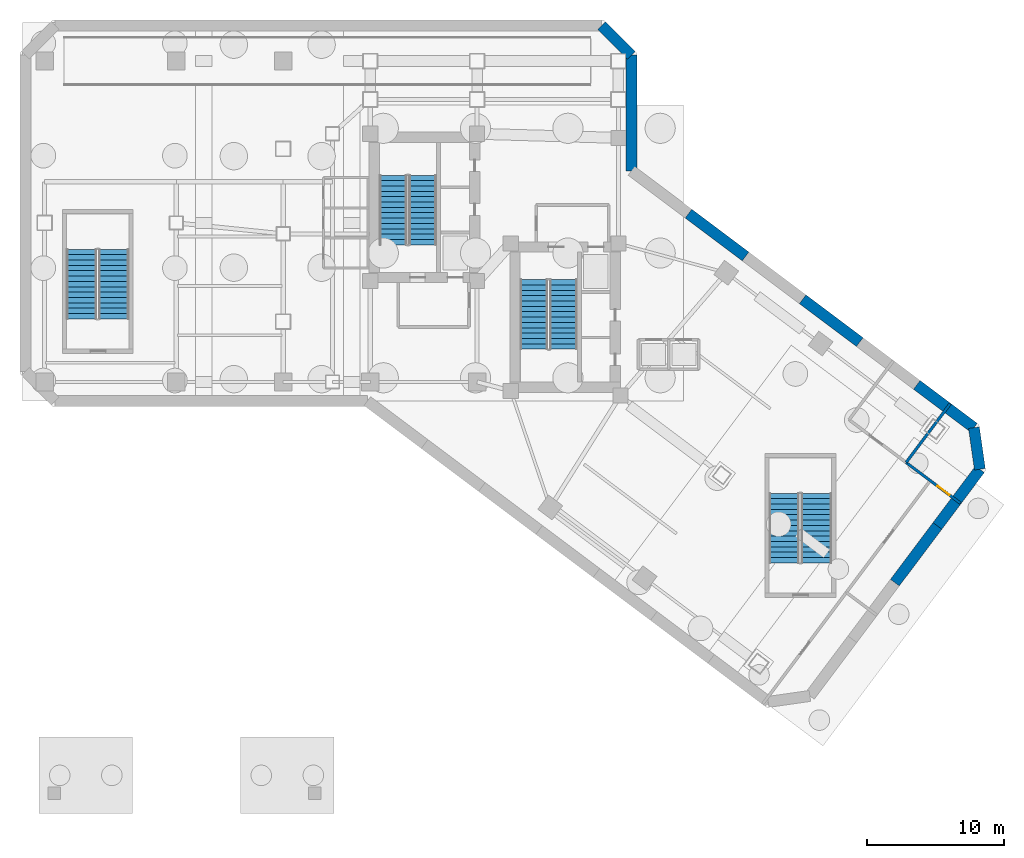
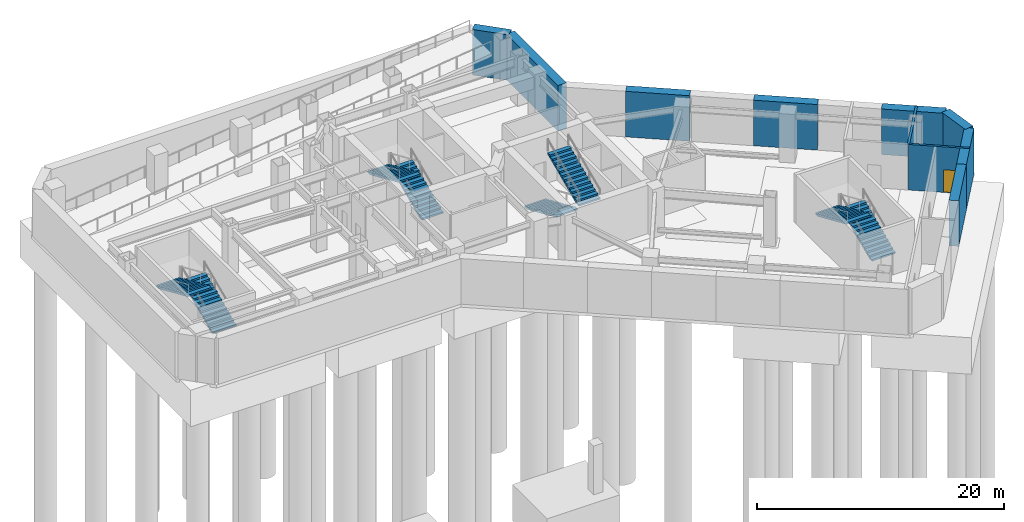
# One storey, part 5 of 9: 10 walls, 8 stair flights, 1 door, 1 opening, 4 elements without a shape of their own.
"""IFC4 building model written with IfcOpenShell, lengths in metres."""

from ifc_helpers import new_model, si_unit, direction, frame, frame_2d, origin, place, context, subcontext, project, spatial, polyline, rectangle, outline, extrude, material, layer, layer_set, type_object, element, fill, aggregate, save


model = new_model("IFC4")

# Units and contexts
model_context = context("Model", 3, precision=1e-05, world=origin(), true_north=direction((0.0, 1.0)))
body_context = subcontext(model_context, "Body", "Model", "MODEL_VIEW")
ifc_project = project(units=[si_unit("LENGTHUNIT", "METRE"), si_unit("AREAUNIT", "SQUARE_METRE"), si_unit("VOLUMEUNIT", "CUBIC_METRE"), si_unit("PLANEANGLEUNIT", "RADIAN"), si_unit("MASSUNIT", "GRAM", prefix="KILO")], contexts=[model_context])

# Site, building, storey
site_placement = place(None, origin())
site = spatial("IfcSite", under=ifc_project, at=site_placement, CompositionType="ELEMENT")
building_placement = place(site_placement, origin())
building = spatial("IfcBuilding", under=site, at=building_placement, Name="Hatsunagi Terrace Concourse", CompositionType="ELEMENT")
storey_placement = place(building_placement, frame((0.0, 0.0, -9.60009765625)))
storey = spatial("IfcBuildingStorey", under=building, at=storey_placement, Name="B02", CompositionType="ELEMENT", Elevation=-9.60009765625)

# Walls
ifc_material_1 = material(Name="Concrete Fc48", Category="concrete")
ifc_layer_1 = layer(ifc_material_1, 0.800048828125)
ifc_layer_set_1 = layer_set([ifc_layer_1], Name="BasementRetainingWall_Fc48_800")
wall_type_1 = type_object("IfcWallType", Name="BasementRetainingWall_Fc48_800", PredefinedType="SHEAR", material=ifc_layer_set_1)
wall_1_placement = place(storey_placement, frame((48.763916015625, 37.47705078125, 0.0), z_axis=(0.0, 0.0, 1.0), x_axis=(0.799977491278, -0.600030010457, 0.0)))
element("IfcWall", 1, at=wall_1_placement, inside=storey, type_object=wall_type_1, Name="Basement Retaining Wall B02-01-2", PredefinedType="SHEAR", context=body_context, shape_type="SweptSolid", body=[
    extrude(rectangle(XDim=5.20654296875, YDim=0.800048828125, at=frame_2d((2.603271484375, 0.0))), origin(), (0.0, 0.0, 1.0), 4.5),
])
wall_2_placement = place(storey_placement, frame((57.093994140625, 31.22998046875, 0.0), z_axis=(0.0, 0.0, 1.0), x_axis=(0.799909944843, -0.600120054773, 0.0)))
element("IfcWall", 2, at=wall_2_placement, inside=storey, type_object=wall_type_1, Name="Basement Retaining Wall B02-01-4", PredefinedType="SHEAR", context=body_context, shape_type="SweptSolid", body=[
    extrude(rectangle(XDim=5.20556640625, YDim=0.800048828125, at=frame_2d((2.602783203125, 0.0))), origin(), (0.0, 0.0, 1.0), 4.5),
])
wall_3_placement = place(storey_placement, frame((65.422119140625, 24.98291015625, 0.0), z_axis=(0.0, 0.0, 1.0), x_axis=(0.79996060752, -0.600052519715, 0.0)))
element("IfcWall", 3, at=wall_3_placement, inside=storey, type_object=wall_type_1, Name="Basement Retaining Wall B02-01-6", PredefinedType="SHEAR", context=body_context, shape_type="SweptSolid", body=[
    extrude(rectangle(XDim=5.206298828125, YDim=0.800048828125, at=frame_2d((2.60302734375, 0.0))), origin(), (0.0, 0.0, 1.0), 4.5),
])
wall_4_placement = place(storey_placement, frame((69.5869140625, 21.85888671875, 0.0), z_axis=(0.0, 0.0, 1.0), x_axis=(0.141722649809, -0.989906404935, 0.0)))
element("IfcWall", 4, at=wall_4_placement, inside=storey, type_object=wall_type_1, Name="Basement Retaining Wall B02-02", PredefinedType="SHEAR", context=body_context, shape_type="SweptSolid", body=[
    extrude(rectangle(XDim=3.06298828125, YDim=0.800048828125, at=frame_2d((1.531494140625, 0.0))), origin(), (0.0, 0.0, 1.0), 4.5),
])
wall_5_placement = place(storey_placement, frame((70.02099609375, 18.826904296875, 0.0), z_axis=(0.0, 0.0, 1.0), x_axis=(-0.600060486348, -0.799954631666, 0.0)))
element("IfcWall", 5, at=wall_5_placement, inside=storey, type_object=wall_type_1, Name="Basement Retaining Wall B02-03-1", PredefinedType="SHEAR", context=body_context, shape_type="SweptSolid", body=[
    extrude(rectangle(XDim=5.166259765625, YDim=0.800048828125, at=frame_2d((2.5830078125, 0.0))), origin(), (0.0, 0.0, 1.0), 4.5),
])
wall_6_placement = place(storey_placement, frame((66.9208984375, 14.694091796875, 0.0), z_axis=(0.0, 0.0, 1.0), x_axis=(-0.600037794011, -0.799971653097, 0.0)))
element("IfcWall", 6, at=wall_6_placement, inside=storey, type_object=wall_type_1, Name="Basement Retaining Wall B02-03-2", PredefinedType="SHEAR", context=body_context, shape_type="SweptSolid", body=[
    extrude(rectangle(XDim=5.167724609375, YDim=0.800048828125, at=frame_2d((2.583984375, 0.0))), origin(), (0.0, 0.0, 1.0), 4.5),
])
wall_7_placement = place(storey_placement, frame((42.43408203125, 51.199951171875, 0.0), z_axis=(0.0, 0.0, 1.0), x_axis=(0.707106781187, -0.707106781187, 0.0)))
element("IfcWall", 7, at=wall_7_placement, inside=storey, type_object=wall_type_1, Name="Basement Retaining Wall B02-11", PredefinedType="SHEAR", context=body_context, shape_type="SweptSolid", body=[
    extrude(rectangle(XDim=3.063232421875, YDim=0.800048828125, at=frame_2d((1.53173828125, 0.0))), origin(), (0.0, 0.0, 1.0), 4.5),
])
wall_8_placement = place(storey_placement, frame((44.60009765625, 49.033935546875, 0.0), z_axis=(0.0, 0.0, 1.0), x_axis=(0.0, -1.0, 0.0)))
element("IfcWall", 8, at=wall_8_placement, inside=storey, type_object=wall_type_1, Name="Basement Retaining Wall B02-12", PredefinedType="SHEAR", context=body_context, shape_type="SweptSolid", body=[
    extrude(rectangle(XDim=8.433837890625, YDim=0.800048828125, at=frame_2d((4.216796875, 0.0))), origin(), (0.0, 0.0, 1.0), 4.5),
])
ifc_material_2 = material(Name="Acoustic mineral board", Category="gypsum")
ifc_layer_2 = layer(ifc_material_2, 0.199951171875)
ifc_layer_set_2 = layer_set([ifc_layer_2], Name="ShaftWall_EI120_200")
wall_type_2 = type_object("IfcWallType", Name="ShaftWall_EI120_200", PredefinedType="STANDARD", material=ifc_layer_set_2)
wall_9_placement = place(storey_placement, frame((64.639892578125, 19.320068359375, 0.0), z_axis=(0.0, 0.0, 1.0), x_axis=(0.600021863474, 0.799983601928, 0.0)))
element("IfcWall", 9, at=wall_9_placement, inside=storey, type_object=wall_type_2, Name="Interior Partition IW-B02-026", PredefinedType="STANDARD", context=body_context, shape_type="SweptSolid", body=[
    extrude(rectangle(XDim=5.35986328125, YDim=0.199951171875, at=frame_2d((2.679931640625, 0.0))), origin(), (0.0, 0.0, 1.0), 4.5),
])

# Wall, opening, door
wall_10_placement = place(storey_placement, frame((64.639892578125, 19.320068359375, 0.0), z_axis=(0.0, 0.0, 1.0), x_axis=(0.799994093403, -0.600007875382, 0.0)))
wall_10 = element("IfcWall", 10, at=wall_10_placement, inside=storey, type_object=wall_type_2, Name="Interior Partition IW-B02-027", PredefinedType="STANDARD", context=body_context, shape_type="SweptSolid", body=[
    extrude(rectangle(XDim=4.9599609375, YDim=0.199951171875, at=frame_2d((2.47998046875, 0.0))), origin(), (0.0, 0.0, 1.0), 4.5),
])
opening_placement = place(wall_10_placement, frame((2.860107421875, 0.0, 0.0)))
opening = element("IfcOpeningElement", 11, at=opening_placement, cuts=wall_10, Name="Opening DR-110F", PredefinedType="OPENING", context=body_context, shape_type="SweptSolid", body=[
    extrude(rectangle(XDim=1.10009765625, YDim=2.239990234375, at=frame_2d((0.550048828125, 1.1201171875))), frame((0.0, 0.10986328125, 0.0), z_axis=(0.0, -1.0, 0.0), x_axis=(1.0, 0.0, 0.0)), (0.0, 0.0, 1.0), 0.219970703125),
])
ifc_material_3 = material(Name="Painted steel", Category="steel")
door_type = type_object("IfcDoorType", Name="FireDoor_EI60_1100", OperationType="NOTDEFINED", PredefinedType="DOOR", material=ifc_material_3)
door_placement = place(opening_placement, origin())
door = element("IfcDoor", 12, at=door_placement, inside=storey, type_object=door_type, Name="Transformer Substation B02-MP2 Door", OperationType="SINGLE_SWING_RIGHT", OverallHeight=2.239990234375, OverallWidth=1.10009765625, PredefinedType="DOOR", context=body_context, shape_type="SweptSolid", body=[
    extrude(rectangle(XDim=1.10009765625, YDim=2.239990234375, at=frame_2d((0.550048828125, 1.1201171875))), frame((0.0, 0.02490234375, 0.0), z_axis=(0.0, -1.0, 0.0), x_axis=(1.0, 0.0, 0.0)), (0.0, 0.0, 1.0), 0.050048828125),
])
fill(opening, door)

# Stair, stair flights
ifc_material_4 = material(Name="Concrete Fc42", Category="concrete")
stair_type_1 = type_object("IfcStairType", Name="DoglegExitStair_Podium2200_28R_171", PredefinedType="HALF_TURN_STAIR", material=ifc_material_4)
stair_1_placement = place(storey_placement, origin())
stair_1 = element("IfcStair", 13, at=stair_1_placement, inside=storey, type_object=stair_type_1, Name="B02 West Podium Convention Exit Stair ST-P1", PredefinedType="HALF_TURN_STAIR")
ifc_material_5 = material(Name="Concrete Fc42", Category="concrete")
stair_flight_type_1 = type_object("IfcStairFlightType", Name="DoglegStairFlight_Podium2200_28R_171", PredefinedType="STRAIGHT", material=ifc_material_5)
stair_flight_1_placement = place(storey_placement, frame((6.85009765625, 29.800048828125, 0.0), z_axis=(0.0, 0.0, 1.0), x_axis=(0.0, 1.0, 0.0)))
stair_flight_1 = element("IfcStairFlight", 14, at=stair_flight_1_placement, type_object=stair_flight_type_1, Name="ST-P1 flight 1", NumberOfRisers=14, NumberOfTreads=13, PredefinedType="STRAIGHT", RiserHeight=0.171428571, TreadLength=0.39, context=body_context, shape_type="SweptSolid", body=[
    extrude(outline(polyline([(0.0, 0.0), (0.0, 0.17138671875), (0.389892578125, 0.17138671875), (0.389892578125, 0.3427734375), (0.780029296875, 0.3427734375), (0.780029296875, 0.514404296875), (1.169921875, 0.514404296875), (1.169921875, 0.685791015625), (1.56005859375, 0.685791015625), (1.56005859375, 0.857177734375), (1.949951171875, 0.857177734375), (1.949951171875, 1.028564453125), (2.340087890625, 1.028564453125), (2.340087890625, 1.199951171875), (2.72998046875, 1.199951171875), (2.72998046875, 1.371337890625), (3.1201171875, 1.371337890625), (3.1201171875, 1.54296875), (3.510009765625, 1.54296875), (3.510009765625, 1.71435546875), (3.89990234375, 1.71435546875), (3.89990234375, 1.8857421875), (4.2900390625, 1.8857421875), (4.2900390625, 2.05712890625), (4.679931640625, 2.05712890625), (4.679931640625, 2.228515625), (5.070068359375, 2.228515625), (5.070068359375, 2.39990234375), (5.070068359375, 2.06494140625), (0.37255859375, 0.0), (0.0, 0.0)])), frame((0.0, 1.10009765625, 0.0), z_axis=(0.0, -1.0, 0.0), x_axis=(1.0, 0.0, 0.0)), (0.0, 0.0, 1.0), 2.199951171875),
])
stair_flight_2_placement = place(storey_placement, frame((4.5, 34.8701171875, 2.400146484375), z_axis=(0.0, 0.0, 1.0), x_axis=(0.0, -1.0, 0.0)))
stair_flight_2 = element("IfcStairFlight", 15, at=stair_flight_2_placement, type_object=stair_flight_type_1, Name="ST-P1 flight 2", NumberOfRisers=14, NumberOfTreads=13, PredefinedType="STRAIGHT", RiserHeight=0.171428571, TreadLength=0.39, context=body_context, shape_type="SweptSolid", body=[
    extrude(outline(polyline([(0.0, 0.0), (0.0, 0.17138671875), (0.389892578125, 0.17138671875), (0.389892578125, 0.3427734375), (0.780029296875, 0.3427734375), (0.780029296875, 0.514404296875), (1.169921875, 0.514404296875), (1.169921875, 0.685791015625), (1.56005859375, 0.685791015625), (1.56005859375, 0.857177734375), (1.949951171875, 0.857177734375), (1.949951171875, 1.028564453125), (2.340087890625, 1.028564453125), (2.340087890625, 1.199951171875), (2.72998046875, 1.199951171875), (2.72998046875, 1.371337890625), (3.1201171875, 1.371337890625), (3.1201171875, 1.54296875), (3.510009765625, 1.54296875), (3.510009765625, 1.71435546875), (3.89990234375, 1.71435546875), (3.89990234375, 1.8857421875), (4.2900390625, 1.8857421875), (4.2900390625, 2.05712890625), (4.679931640625, 2.05712890625), (4.679931640625, 2.228515625), (5.070068359375, 2.228515625), (5.070068359375, 2.39990234375), (5.070068359375, 2.06494140625), (0.37255859375, 0.0), (0.0, 0.0)])), frame((0.0, 1.10009765625, 0.0), z_axis=(0.0, -1.0, 0.0), x_axis=(1.0, 0.0, 0.0)), (0.0, 0.0, 1.0), 2.199951171875),
])
aggregate(stair_1, [stair_flight_1, stair_flight_2])

stair_2_placement = place(storey_placement, origin())
stair_2 = element("IfcStair", 16, at=stair_2_placement, inside=storey, type_object=stair_type_1, Name="B02 Southeast Podium Ballroom Exit Stair ST-P2", PredefinedType="HALF_TURN_STAIR")
stair_flight_3_placement = place(storey_placement, frame((58.10009765625, 12.0, 0.0), z_axis=(0.0, 0.0, 1.0), x_axis=(0.0, 1.0, 0.0)))
stair_flight_3 = element("IfcStairFlight", 17, at=stair_flight_3_placement, type_object=stair_flight_type_1, Name="ST-P2 flight 1", NumberOfRisers=14, NumberOfTreads=13, PredefinedType="STRAIGHT", RiserHeight=0.171428571, TreadLength=0.39, context=body_context, shape_type="SweptSolid", body=[
    extrude(outline(polyline([(0.0, 0.0), (0.0, 0.17138671875), (0.389892578125, 0.17138671875), (0.389892578125, 0.3427734375), (0.780029296875, 0.3427734375), (0.780029296875, 0.514404296875), (1.169921875, 0.514404296875), (1.169921875, 0.685791015625), (1.56005859375, 0.685791015625), (1.56005859375, 0.857177734375), (1.949951171875, 0.857177734375), (1.949951171875, 1.028564453125), (2.340087890625, 1.028564453125), (2.340087890625, 1.199951171875), (2.72998046875, 1.199951171875), (2.72998046875, 1.371337890625), (3.1201171875, 1.371337890625), (3.1201171875, 1.54296875), (3.510009765625, 1.54296875), (3.510009765625, 1.71435546875), (3.89990234375, 1.71435546875), (3.89990234375, 1.8857421875), (4.2900390625, 1.8857421875), (4.2900390625, 2.05712890625), (4.679931640625, 2.05712890625), (4.679931640625, 2.228515625), (5.070068359375, 2.228515625), (5.070068359375, 2.39990234375), (5.070068359375, 2.06494140625), (0.37255859375, 0.0), (0.0, 0.0)])), frame((0.0, 1.10009765625, 0.0), z_axis=(0.0, -1.0, 0.0), x_axis=(1.0, 0.0, 0.0)), (0.0, 0.0, 1.0), 2.199951171875),
])
stair_flight_4_placement = place(storey_placement, frame((55.75, 17.070068359375, 2.400146484375), z_axis=(0.0, 0.0, 1.0), x_axis=(0.0, -1.0, 0.0)))
stair_flight_4 = element("IfcStairFlight", 18, at=stair_flight_4_placement, type_object=stair_flight_type_1, Name="ST-P2 flight 2", NumberOfRisers=14, NumberOfTreads=13, PredefinedType="STRAIGHT", RiserHeight=0.171428571, TreadLength=0.39, context=body_context, shape_type="SweptSolid", body=[
    extrude(outline(polyline([(0.0, 0.0), (0.0, 0.17138671875), (0.389892578125, 0.17138671875), (0.389892578125, 0.3427734375), (0.780029296875, 0.3427734375), (0.780029296875, 0.514404296875), (1.169921875, 0.514404296875), (1.169921875, 0.685791015625), (1.56005859375, 0.685791015625), (1.56005859375, 0.857177734375), (1.949951171875, 0.857177734375), (1.949951171875, 1.028564453125), (2.340087890625, 1.028564453125), (2.340087890625, 1.199951171875), (2.72998046875, 1.199951171875), (2.72998046875, 1.371337890625), (3.1201171875, 1.371337890625), (3.1201171875, 1.54296875), (3.510009765625, 1.54296875), (3.510009765625, 1.71435546875), (3.89990234375, 1.71435546875), (3.89990234375, 1.8857421875), (4.2900390625, 1.8857421875), (4.2900390625, 2.05712890625), (4.679931640625, 2.05712890625), (4.679931640625, 2.228515625), (5.070068359375, 2.228515625), (5.070068359375, 2.39990234375), (5.070068359375, 2.06494140625), (0.37255859375, 0.0), (0.0, 0.0)])), frame((0.0, 1.10009765625, 0.0), z_axis=(0.0, -1.0, 0.0), x_axis=(1.0, 0.0, 0.0)), (0.0, 0.0, 1.0), 2.199951171875),
])
aggregate(stair_2, [stair_flight_3, stair_flight_4])

ifc_material_6 = material(Name="Concrete Fc42", Category="concrete")
stair_type_2 = type_object("IfcStairType", Name="DoglegExitStair_Tower2000_28R_171", PredefinedType="HALF_TURN_STAIR", material=ifc_material_6)
stair_3_placement = place(storey_placement, origin())
stair_3 = element("IfcStair", 19, at=stair_3_placement, inside=storey, type_object=stair_type_2, Name="B02 Core A Protected Exit Stair ST-A", PredefinedType="HALF_TURN_STAIR")
ifc_material_7 = material(Name="Concrete Fc42", Category="concrete")
stair_flight_type_2 = type_object("IfcStairFlightType", Name="DoglegStairFlight_Tower2000_28R_171", PredefinedType="STRAIGHT", material=ifc_material_7)
stair_flight_5_placement = place(storey_placement, frame((29.3798828125, 35.199951171875, 0.0), z_axis=(0.0, 0.0, 1.0), x_axis=(0.0, 1.0, 0.0)))
stair_flight_5 = element("IfcStairFlight", 20, at=stair_flight_5_placement, type_object=stair_flight_type_2, Name="ST-A flight 1", NumberOfRisers=14, NumberOfTreads=13, PredefinedType="STRAIGHT", RiserHeight=0.171428571, TreadLength=0.39, context=body_context, shape_type="SweptSolid", body=[
    extrude(outline(polyline([(0.0, 0.0), (0.0, 0.17138671875), (0.389892578125, 0.17138671875), (0.389892578125, 0.3427734375), (0.780029296875, 0.3427734375), (0.780029296875, 0.514404296875), (1.169921875, 0.514404296875), (1.169921875, 0.685791015625), (1.56005859375, 0.685791015625), (1.56005859375, 0.857177734375), (1.949951171875, 0.857177734375), (1.949951171875, 1.028564453125), (2.340087890625, 1.028564453125), (2.340087890625, 1.199951171875), (2.72998046875, 1.199951171875), (2.72998046875, 1.371337890625), (3.1201171875, 1.371337890625), (3.1201171875, 1.54296875), (3.510009765625, 1.54296875), (3.510009765625, 1.71435546875), (3.89990234375, 1.71435546875), (3.89990234375, 1.8857421875), (4.2900390625, 1.8857421875), (4.2900390625, 2.05712890625), (4.679931640625, 2.05712890625), (4.679931640625, 2.228515625), (5.070068359375, 2.228515625), (5.070068359375, 2.39990234375), (5.070068359375, 2.06494140625), (0.37255859375, 0.0), (0.0, 0.0)])), frame((0.0, 1.0, 0.0), z_axis=(0.0, -1.0, 0.0), x_axis=(1.0, 0.0, 0.0)), (0.0, 0.0, 1.0), 2.0),
])
stair_flight_6_placement = place(storey_placement, frame((27.22998046875, 40.27001953125, 2.400146484375), z_axis=(0.0, 0.0, 1.0), x_axis=(0.0, -1.0, 0.0)))
stair_flight_6 = element("IfcStairFlight", 21, at=stair_flight_6_placement, type_object=stair_flight_type_2, Name="ST-A flight 2", NumberOfRisers=14, NumberOfTreads=13, PredefinedType="STRAIGHT", RiserHeight=0.171428571, TreadLength=0.39, context=body_context, shape_type="SweptSolid", body=[
    extrude(outline(polyline([(0.0, 0.0), (0.0, 0.17138671875), (0.389892578125, 0.17138671875), (0.389892578125, 0.3427734375), (0.780029296875, 0.3427734375), (0.780029296875, 0.514404296875), (1.169921875, 0.514404296875), (1.169921875, 0.685791015625), (1.56005859375, 0.685791015625), (1.56005859375, 0.857177734375), (1.949951171875, 0.857177734375), (1.949951171875, 1.028564453125), (2.340087890625, 1.028564453125), (2.340087890625, 1.199951171875), (2.72998046875, 1.199951171875), (2.72998046875, 1.371337890625), (3.1201171875, 1.371337890625), (3.1201171875, 1.54296875), (3.510009765625, 1.54296875), (3.510009765625, 1.71435546875), (3.89990234375, 1.71435546875), (3.89990234375, 1.8857421875), (4.2900390625, 1.8857421875), (4.2900390625, 2.05712890625), (4.679931640625, 2.05712890625), (4.679931640625, 2.228515625), (5.070068359375, 2.228515625), (5.070068359375, 2.39990234375), (5.070068359375, 2.06494140625), (0.37255859375, 0.0), (0.0, 0.0)])), frame((0.0, 1.0, 0.0), z_axis=(0.0, -1.0, 0.0), x_axis=(1.0, 0.0, 0.0)), (0.0, 0.0, 1.0), 2.0),
])
aggregate(stair_3, [stair_flight_5, stair_flight_6])

stair_4_placement = place(storey_placement, origin())
stair_4 = element("IfcStair", 22, at=stair_4_placement, inside=storey, type_object=stair_type_2, Name="B02 Core B Protected Exit Stair ST-B", PredefinedType="HALF_TURN_STAIR")
stair_flight_7_placement = place(storey_placement, frame((37.5, 32.659912109375, 0.0), z_axis=(0.0, 0.0, 1.0), x_axis=(0.0, -1.0, 0.0)))
stair_flight_7 = element("IfcStairFlight", 23, at=stair_flight_7_placement, type_object=stair_flight_type_2, Name="ST-B flight 1", NumberOfRisers=14, NumberOfTreads=13, PredefinedType="STRAIGHT", RiserHeight=0.171428571, TreadLength=0.39, context=body_context, shape_type="SweptSolid", body=[
    extrude(outline(polyline([(0.0, 0.0), (0.0, 0.17138671875), (0.389892578125, 0.17138671875), (0.389892578125, 0.3427734375), (0.780029296875, 0.3427734375), (0.780029296875, 0.514404296875), (1.169921875, 0.514404296875), (1.169921875, 0.685791015625), (1.56005859375, 0.685791015625), (1.56005859375, 0.857177734375), (1.949951171875, 0.857177734375), (1.949951171875, 1.028564453125), (2.340087890625, 1.028564453125), (2.340087890625, 1.199951171875), (2.72998046875, 1.199951171875), (2.72998046875, 1.371337890625), (3.1201171875, 1.371337890625), (3.1201171875, 1.54296875), (3.510009765625, 1.54296875), (3.510009765625, 1.71435546875), (3.89990234375, 1.71435546875), (3.89990234375, 1.8857421875), (4.2900390625, 1.8857421875), (4.2900390625, 2.05712890625), (4.679931640625, 2.05712890625), (4.679931640625, 2.228515625), (5.070068359375, 2.228515625), (5.070068359375, 2.39990234375), (5.070068359375, 2.06494140625), (0.37255859375, 0.0), (0.0, 0.0)])), frame((0.0, 1.0, 0.0), z_axis=(0.0, -1.0, 0.0), x_axis=(1.0, 0.0, 0.0)), (0.0, 0.0, 1.0), 2.0),
])
stair_flight_8_placement = place(storey_placement, frame((39.64990234375, 27.590087890625, 2.400146484375), z_axis=(0.0, 0.0, 1.0), x_axis=(0.0, 1.0, 0.0)))
stair_flight_8 = element("IfcStairFlight", 24, at=stair_flight_8_placement, type_object=stair_flight_type_2, Name="ST-B flight 2", NumberOfRisers=14, NumberOfTreads=13, PredefinedType="STRAIGHT", RiserHeight=0.171428571, TreadLength=0.39, context=body_context, shape_type="SweptSolid", body=[
    extrude(outline(polyline([(0.0, 0.0), (0.0, 0.17138671875), (0.389892578125, 0.17138671875), (0.389892578125, 0.3427734375), (0.780029296875, 0.3427734375), (0.780029296875, 0.514404296875), (1.169921875, 0.514404296875), (1.169921875, 0.685791015625), (1.56005859375, 0.685791015625), (1.56005859375, 0.857177734375), (1.949951171875, 0.857177734375), (1.949951171875, 1.028564453125), (2.340087890625, 1.028564453125), (2.340087890625, 1.199951171875), (2.72998046875, 1.199951171875), (2.72998046875, 1.371337890625), (3.1201171875, 1.371337890625), (3.1201171875, 1.54296875), (3.510009765625, 1.54296875), (3.510009765625, 1.71435546875), (3.89990234375, 1.71435546875), (3.89990234375, 1.8857421875), (4.2900390625, 1.8857421875), (4.2900390625, 2.05712890625), (4.679931640625, 2.05712890625), (4.679931640625, 2.228515625), (5.070068359375, 2.228515625), (5.070068359375, 2.39990234375), (5.070068359375, 2.06494140625), (0.37255859375, 0.0), (0.0, 0.0)])), frame((0.0, 1.0, 0.0), z_axis=(0.0, -1.0, 0.0), x_axis=(1.0, 0.0, 0.0)), (0.0, 0.0, 1.0), 2.0),
])
aggregate(stair_4, [stair_flight_7, stair_flight_8])

save(model, "model.ifc")
